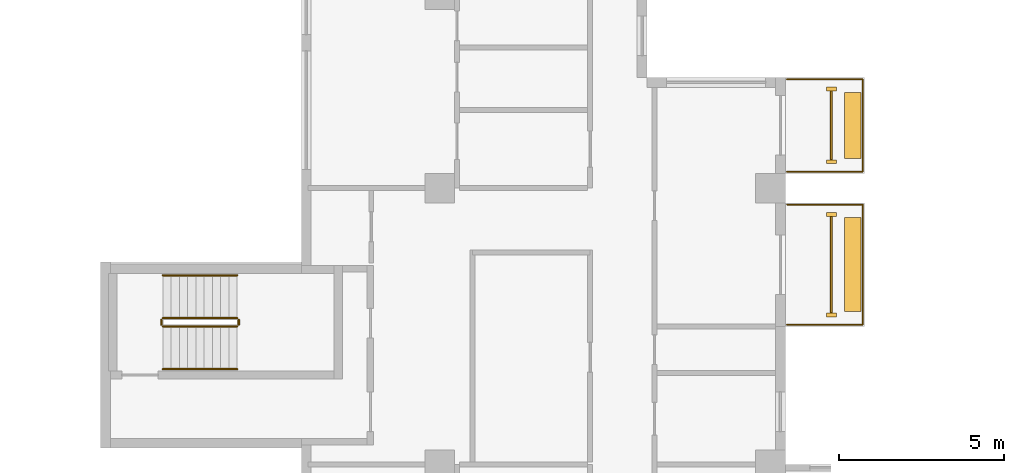
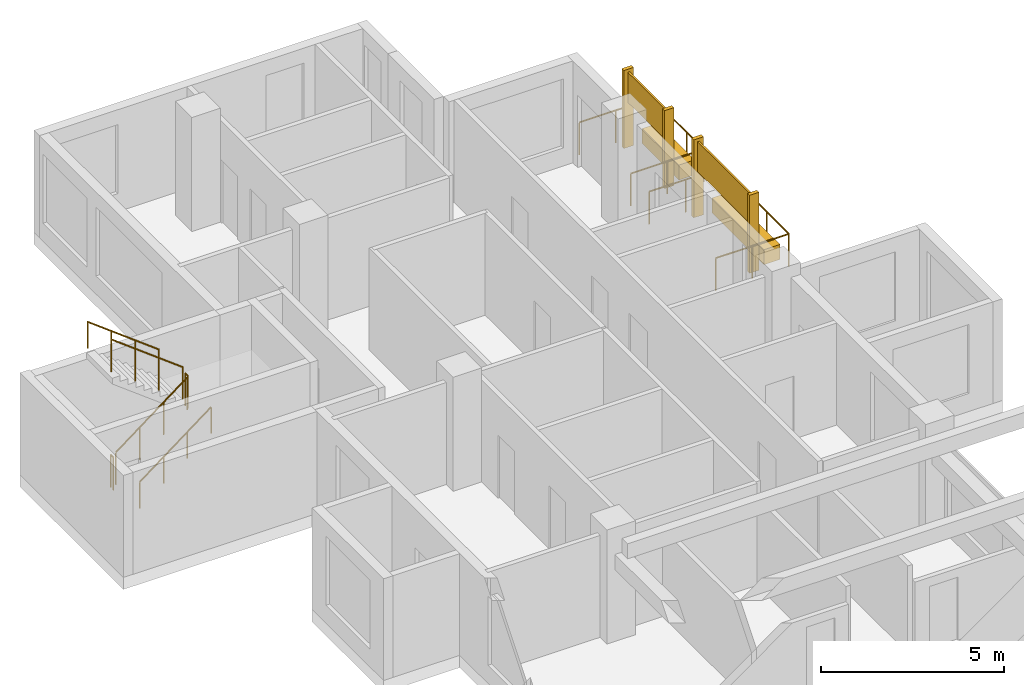
# One storey, part 11 of 11: 8 coverings, 8 railings.
"""IFC4 building model written with IfcOpenShell, lengths in metres."""

from ifc_helpers import new_model, si_unit, direction, frame, origin, origin_2d, place, context, subcontext, project, spatial, rectangle, circle, extrude, source, transform, mapped, material, type_object, element, save


model = new_model("IFC4")

# Units and contexts
model_context = context("Model", 3, precision=1e-05, world=origin(), true_north=direction((0.0, 1.0)))
body_context = subcontext(model_context, "Body", "Model", "MODEL_VIEW")
ifc_project = project(units=[si_unit("LENGTHUNIT", "METRE"), si_unit("AREAUNIT", "SQUARE_METRE"), si_unit("VOLUMEUNIT", "CUBIC_METRE"), si_unit("PLANEANGLEUNIT", "RADIAN"), si_unit("MASSUNIT", "GRAM", prefix="KILO")], contexts=[model_context])

# Site, building, storey
site_placement = place(None, origin())
site = spatial("IfcSite", under=ifc_project, at=site_placement, CompositionType="ELEMENT")
building_placement = place(site_placement, origin())
building = spatial("IfcBuilding", under=site, at=building_placement, Name="Aurelian Terraces", CompositionType="ELEMENT")
storey_placement = place(building_placement, frame((0.0, 0.0, 208.2)))
storey = spatial("IfcBuildingStorey", under=building, at=storey_placement, Name="L46", CompositionType="ELEMENT", Elevation=208.2)

# Coverings
ifc_material_1 = material(Name="Terracotta rainscreen cladding relief", Category="masonry")
covering_type_1 = type_object("IfcCoveringType", Name="FIN-TC", PredefinedType="CLADDING", material=ifc_material_1)
shared_shape_1 = source(origin(), body_context, "Body", "SweptSolid", [
    extrude(rectangle(XDim=0.3, YDim=0.12, at=origin_2d()), origin(), (0.0, 0.0, 1.0), 2.6),
])
for number, where, z_axis, x_axis, name in (
    (1, (22.4, 42.35, 0.0), (0.0, 0.0, 1.0), (1.0, 0.0, 0.0), "FIN L46 L46-F12-25.1"),
    (2, (22.4, 45.4, 0.0), (0.0, 0.0, 1.0), (1.0, 0.0, 0.0), "FIN L46 L46-F12-25.2"),
    (3, (22.4, 47.0, 0.0), (0.0, 0.0, 1.0), (1.0, 0.0, 0.0), "FIN L46 L46-F12-26.1"),
    (4, (22.4, 49.21, 0.0), (0.0, 0.0, 1.0), (1.0, 0.0, 0.0), "FIN L46 L46-F12-26.2"),
):
    element("IfcCovering", number, at=place(storey_placement, frame(where, z_axis=z_axis, x_axis=x_axis)), inside=storey, type_object=covering_type_1, Name=name, PredefinedType="CLADDING", context=body_context, shape_type="MappedRepresentation", body=[
        mapped(shared_shape_1, transform((0.0, 0.0, 0.0), scale=1.0)),
    ])

# Railing
ifc_material_2 = material(Name="Anodised aluminium", Category="aluminium")
railing_type_1 = type_object("IfcRailingType", Name="GUARD-1100", PredefinedType="GUARDRAIL", material=ifc_material_2)
shared_shape_2 = source(origin(), body_context, "Body", "SweptSolid", [
    extrude(circle(Radius=0.024, at=origin_2d()), frame((0.0, 0.0, 1.076), z_axis=(1.0, 0.0, 0.0), x_axis=(0.0, 1.0, 0.0)), (0.0, 0.0, 1.0), 2.3),
    extrude(circle(Radius=0.024, at=origin_2d()), frame((2.3, 0.0, 1.076), z_axis=(0.0, 1.0, 0.0), x_axis=(-1.0, 0.0, 0.0)), (0.0, 0.0, 1.0), 3.65),
    extrude(circle(Radius=0.024, at=origin_2d()), frame((2.3, 3.65, 1.076), z_axis=(-1.0, 0.0, 0.0), x_axis=(0.0, -1.0, 0.0)), (0.0, 0.0, 1.0), 2.3),
    extrude(circle(Radius=0.021, at=origin_2d()), origin(), (0.0, 0.0, 1.0), 1.052),
    extrude(circle(Radius=0.021, at=origin_2d()), frame((1.15, 0.0, 0.0)), (0.0, 0.0, 1.0), 1.052),
    extrude(circle(Radius=0.021, at=origin_2d()), frame((2.3, 0.0, 0.0)), (0.0, 0.0, 1.0), 1.052),
    extrude(circle(Radius=0.021, at=origin_2d()), frame((2.3, 1.2167, 0.0)), (0.0, 0.0, 1.0), 1.052),
    extrude(circle(Radius=0.021, at=origin_2d()), frame((2.3, 2.4333, 0.0)), (0.0, 0.0, 1.0), 1.052),
    extrude(circle(Radius=0.021, at=origin_2d()), frame((2.3, 3.65, 0.0)), (0.0, 0.0, 1.0), 1.052),
    extrude(circle(Radius=0.021, at=origin_2d()), frame((1.15, 3.65, 0.0)), (0.0, 0.0, 1.0), 1.052),
    extrude(circle(Radius=0.021, at=origin_2d()), frame((0.0, 3.65, 0.0)), (0.0, 0.0, 1.0), 1.052),
])
railing_1_placement = place(storey_placement, frame((21.05, 42.05, 0.0)))
element("IfcRailing", 5, at=railing_1_placement, inside=storey, type_object=railing_type_1, Name="Balcony guard L46 F12.25", PredefinedType="GUARDRAIL", context=body_context, shape_type="MappedRepresentation", body=[
    mapped(shared_shape_2, transform((0.0, 0.0, 0.0), scale=1.0)),
])

# Coverings
ifc_material_3 = material(Name="Terracotta planter with planting soil", Category="masonry")
covering_type_2 = type_object("IfcCoveringType", Name="PLANTER-TROUGH", PredefinedType="USERDEFINED", material=ifc_material_3)
shared_shape_3 = source(origin(), body_context, "Body", "SweptSolid", [
    extrude(rectangle(XDim=0.5, YDim=2.85, at=origin_2d()), origin(), (0.0, 0.0, 1.0), 0.5),
])
covering_1_placement = place(storey_placement, frame((23.05, 43.875, 0.0), z_axis=(0.0, 0.0, 1.0), x_axis=(1.0, 0.0, 0.0)))
element("IfcCovering", 6, at=covering_1_placement, inside=storey, type_object=covering_type_2, Name="PLANTER L46 L46-F12-25", ObjectType="PLANTER", PredefinedType="USERDEFINED", context=body_context, shape_type="MappedRepresentation", body=[
    mapped(shared_shape_3, transform((0.0, 0.0, 0.0), scale=1.0)),
])
ifc_material_4 = material(Name="Terracotta rainscreen cladding", Category="masonry")
covering_type_3 = type_object("IfcCoveringType", Name="SCREEN-TC", PredefinedType="CLADDING", material=ifc_material_4)
shared_shape_4 = source(origin(), body_context, "Body", "SweptSolid", [
    extrude(rectangle(XDim=0.06, YDim=2.93, at=origin_2d()), origin(), (0.0, 0.0, 1.0), 1.0),
])
covering_2_placement = place(storey_placement, frame((22.4, 43.875, 1.5), z_axis=(0.0, 0.0, 1.0), x_axis=(1.0, 0.0, 0.0)))
element("IfcCovering", 7, at=covering_2_placement, inside=storey, type_object=covering_type_3, Name="SCREEN L46 L46-F12-25", PredefinedType="CLADDING", context=body_context, shape_type="MappedRepresentation", body=[
    mapped(shared_shape_4, transform((0.0, 0.0, 0.0), scale=1.0)),
])

# Railing
shared_shape_5 = source(origin(), body_context, "Body", "SweptSolid", [
    extrude(circle(Radius=0.024, at=origin_2d()), frame((0.0, 0.0, 1.076), z_axis=(1.0, 0.0, 0.0), x_axis=(0.0, 1.0, 0.0)), (0.0, 0.0, 1.0), 2.3),
    extrude(circle(Radius=0.024, at=origin_2d()), frame((2.3, 0.0, 1.076), z_axis=(0.0, 1.0, 0.0), x_axis=(-1.0, 0.0, 0.0)), (0.0, 0.0, 1.0), 2.81),
    extrude(circle(Radius=0.024, at=origin_2d()), frame((2.3, 2.81, 1.076), z_axis=(-1.0, 0.0, 0.0), x_axis=(0.0, -1.0, 0.0)), (0.0, 0.0, 1.0), 2.3),
    extrude(circle(Radius=0.021, at=origin_2d()), origin(), (0.0, 0.0, 1.0), 1.052),
    extrude(circle(Radius=0.021, at=origin_2d()), frame((1.15, 0.0, 0.0)), (0.0, 0.0, 1.0), 1.052),
    extrude(circle(Radius=0.021, at=origin_2d()), frame((2.3, 0.0, 0.0)), (0.0, 0.0, 1.0), 1.052),
    extrude(circle(Radius=0.021, at=origin_2d()), frame((2.3, 0.9367, 0.0)), (0.0, 0.0, 1.0), 1.052),
    extrude(circle(Radius=0.021, at=origin_2d()), frame((2.3, 1.8733, 0.0)), (0.0, 0.0, 1.0), 1.052),
    extrude(circle(Radius=0.021, at=origin_2d()), frame((2.3, 2.81, 0.0)), (0.0, 0.0, 1.0), 1.052),
    extrude(circle(Radius=0.021, at=origin_2d()), frame((1.15, 2.81, 0.0)), (0.0, 0.0, 1.0), 1.052),
    extrude(circle(Radius=0.021, at=origin_2d()), frame((0.0, 2.81, 0.0)), (0.0, 0.0, 1.0), 1.052),
])
railing_2_placement = place(storey_placement, frame((21.05, 46.7, 0.0)))
element("IfcRailing", 8, at=railing_2_placement, inside=storey, type_object=railing_type_1, Name="Balcony guard L46 F12.26", PredefinedType="GUARDRAIL", context=body_context, shape_type="MappedRepresentation", body=[
    mapped(shared_shape_5, transform((0.0, 0.0, 0.0), scale=1.0)),
])

# Coverings
shared_shape_6 = source(origin(), body_context, "Body", "SweptSolid", [
    extrude(rectangle(XDim=0.5, YDim=2.01, at=origin_2d()), origin(), (0.0, 0.0, 1.0), 0.5),
])
covering_3_placement = place(storey_placement, frame((23.05, 48.105, 0.0), z_axis=(0.0, 0.0, 1.0), x_axis=(1.0, 0.0, 0.0)))
element("IfcCovering", 9, at=covering_3_placement, inside=storey, type_object=covering_type_2, Name="PLANTER L46 L46-F12-26", ObjectType="PLANTER", PredefinedType="USERDEFINED", context=body_context, shape_type="MappedRepresentation", body=[
    mapped(shared_shape_6, transform((0.0, 0.0, 0.0), scale=1.0)),
])
shared_shape_7 = source(origin(), body_context, "Body", "SweptSolid", [
    extrude(rectangle(XDim=0.06, YDim=2.09, at=origin_2d()), origin(), (0.0, 0.0, 1.0), 1.0),
])
covering_4_placement = place(storey_placement, frame((22.4, 48.105, 1.5), z_axis=(0.0, 0.0, 1.0), x_axis=(1.0, 0.0, 0.0)))
element("IfcCovering", 10, at=covering_4_placement, inside=storey, type_object=covering_type_3, Name="SCREEN L46 L46-F12-26", PredefinedType="CLADDING", context=body_context, shape_type="MappedRepresentation", body=[
    mapped(shared_shape_7, transform((0.0, 0.0, 0.0), scale=1.0)),
])

# Railings
ifc_material_5 = material(Name="Stainless steel", Category="steel")
railing_type_2 = type_object("IfcRailingType", Name="Stair guard 1100", PredefinedType="GUARDRAIL", material=ifc_material_5)
shared_shape_8 = source(origin(), body_context, "Body", "SweptSolid", [
    extrude(circle(Radius=0.024, at=origin_2d()), frame((0.0, 0.0, 1.076), z_axis=(0.0, 1.0, 0.0), x_axis=(-1.0, 0.0, 0.0)), (0.0, 0.0, 1.0), 0.15),
    extrude(circle(Radius=0.021, at=origin_2d()), origin(), (0.0, 0.0, 1.0), 1.052),
    extrude(circle(Radius=0.021, at=origin_2d()), frame((0.0, 0.15, 0.0)), (0.0, 0.0, 1.0), 1.052),
])
for number, where, name in (
    (11, (4.4, 42.05, 1.9), "L46 S3 stair guard 2"),
    (12, (2.05, 42.05, 0.0), "L46 S3 stair guard 4"),
):
    element("IfcRailing", number, at=place(storey_placement, frame(where)), inside=storey, type_object=railing_type_2, Name=name, PredefinedType="GUARDRAIL", context=body_context, shape_type="MappedRepresentation", body=[
        mapped(shared_shape_8, transform((0.0, 0.0, 0.0), scale=1.0)),
    ])
shared_shape_9 = source(origin(), body_context, "Body", "SweptSolid", [
    extrude(circle(Radius=0.024, at=origin_2d()), frame((0.0, 0.0, 1.076), z_axis=(0.796162194123, 0.0, 0.605083267534), x_axis=(0.0, 1.0, 0.0)), (0.0, 0.0, 1.0), 2.8261),
    extrude(circle(Radius=0.021, at=origin_2d()), origin(), (0.0, 0.0, 1.0), 1.052),
    extrude(circle(Radius=0.021, at=origin_2d()), frame((0.75, 0.0, 0.57)), (0.0, 0.0, 1.0), 1.052),
    extrude(circle(Radius=0.021, at=origin_2d()), frame((1.5, 0.0, 1.14)), (0.0, 0.0, 1.0), 1.052),
    extrude(circle(Radius=0.021, at=origin_2d()), frame((2.25, 0.0, 1.71)), (0.0, 0.0, 1.0), 1.052),
])
railing_3_placement = place(storey_placement, frame((2.1, 42.0, 0.19)))
element("IfcRailing", 13, at=railing_3_placement, inside=storey, type_object=railing_type_2, Name="L46 S3 stair guard 1", PredefinedType="GUARDRAIL", context=body_context, shape_type="MappedRepresentation", body=[
    mapped(shared_shape_9, transform((0.0, 0.0, 0.0), scale=1.0)),
])
shared_shape_10 = source(origin(), body_context, "Body", "SweptSolid", [
    extrude(circle(Radius=0.024, at=origin_2d()), frame((0.0, 0.0, 1.076), z_axis=(-0.796162194123, 0.0, 0.605083267534), x_axis=(0.0, -1.0, 0.0)), (0.0, 0.0, 1.0), 2.8261),
    extrude(circle(Radius=0.021, at=origin_2d()), origin(), (0.0, 0.0, 1.0), 1.052),
    extrude(circle(Radius=0.021, at=origin_2d()), frame((-0.75, 0.0, 0.57)), (0.0, 0.0, 1.0), 1.052),
    extrude(circle(Radius=0.021, at=origin_2d()), frame((-1.5, 0.0, 1.14)), (0.0, 0.0, 1.0), 1.052),
    extrude(circle(Radius=0.021, at=origin_2d()), frame((-2.25, 0.0, 1.71)), (0.0, 0.0, 1.0), 1.052),
])
railing_4_placement = place(storey_placement, frame((4.35, 42.25, 2.09)))
element("IfcRailing", 14, at=railing_4_placement, inside=storey, type_object=railing_type_2, Name="L46 S3 stair guard 3", PredefinedType="GUARDRAIL", context=body_context, shape_type="MappedRepresentation", body=[
    mapped(shared_shape_10, transform((0.0, 0.0, 0.0), scale=1.0)),
])
railing_type_3 = type_object("IfcRailingType", Name="Stair handrail", PredefinedType="HANDRAIL", material=ifc_material_5)
shared_shape_11 = source(origin(), body_context, "Body", "SweptSolid", [
    extrude(circle(Radius=0.024, at=origin_2d()), frame((0.0, 0.0, 0.876), z_axis=(0.796162194123, 0.0, 0.605083267534), x_axis=(0.0, 1.0, 0.0)), (0.0, 0.0, 1.0), 2.8261),
    extrude(circle(Radius=0.021, at=origin_2d()), origin(), (0.0, 0.0, 1.0), 0.852),
    extrude(circle(Radius=0.021, at=origin_2d()), frame((0.75, 0.0, 0.57)), (0.0, 0.0, 1.0), 0.852),
    extrude(circle(Radius=0.021, at=origin_2d()), frame((1.5, 0.0, 1.14)), (0.0, 0.0, 1.0), 0.852),
    extrude(circle(Radius=0.021, at=origin_2d()), frame((2.25, 0.0, 1.71)), (0.0, 0.0, 1.0), 0.852),
])
railing_5_placement = place(storey_placement, frame((2.1, 40.7, 0.19)))
element("IfcRailing", 15, at=railing_5_placement, inside=storey, type_object=railing_type_3, Name="L46 S3 stair handrail 1", PredefinedType="HANDRAIL", context=body_context, shape_type="MappedRepresentation", body=[
    mapped(shared_shape_11, transform((0.0, 0.0, 0.0), scale=1.0)),
])
shared_shape_12 = source(origin(), body_context, "Body", "SweptSolid", [
    extrude(circle(Radius=0.024, at=origin_2d()), frame((0.0, 0.0, 0.876), z_axis=(-0.796162194123, 0.0, 0.605083267534), x_axis=(0.0, -1.0, 0.0)), (0.0, 0.0, 1.0), 2.8261),
    extrude(circle(Radius=0.021, at=origin_2d()), origin(), (0.0, 0.0, 1.0), 0.852),
    extrude(circle(Radius=0.021, at=origin_2d()), frame((-0.75, 0.0, 0.57)), (0.0, 0.0, 1.0), 0.852),
    extrude(circle(Radius=0.021, at=origin_2d()), frame((-1.5, 0.0, 1.14)), (0.0, 0.0, 1.0), 0.852),
    extrude(circle(Radius=0.021, at=origin_2d()), frame((-2.25, 0.0, 1.71)), (0.0, 0.0, 1.0), 0.852),
])
railing_6_placement = place(storey_placement, frame((4.35, 43.55, 2.09)))
element("IfcRailing", 16, at=railing_6_placement, inside=storey, type_object=railing_type_3, Name="L46 S3 stair handrail 2", PredefinedType="HANDRAIL", context=body_context, shape_type="MappedRepresentation", body=[
    mapped(shared_shape_12, transform((0.0, 0.0, 0.0), scale=1.0)),
])

save(model, "model.ifc")
